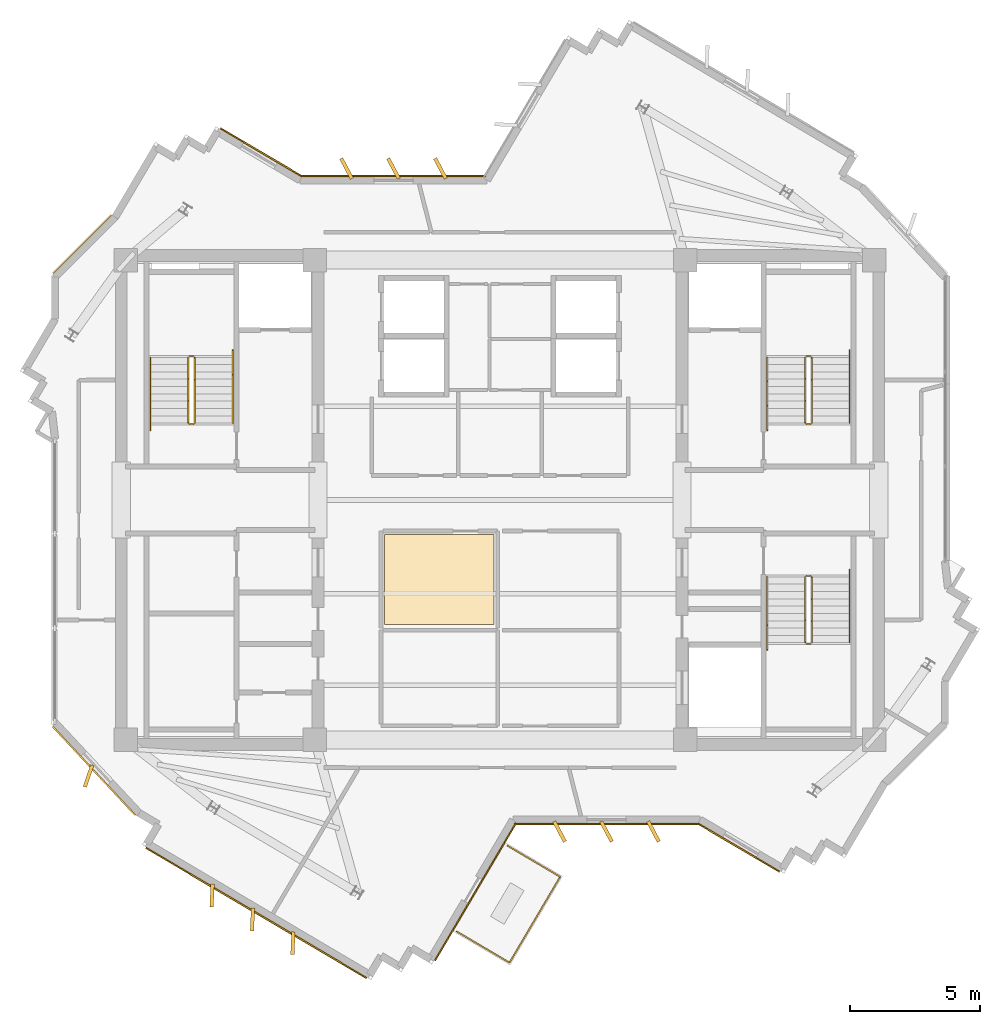
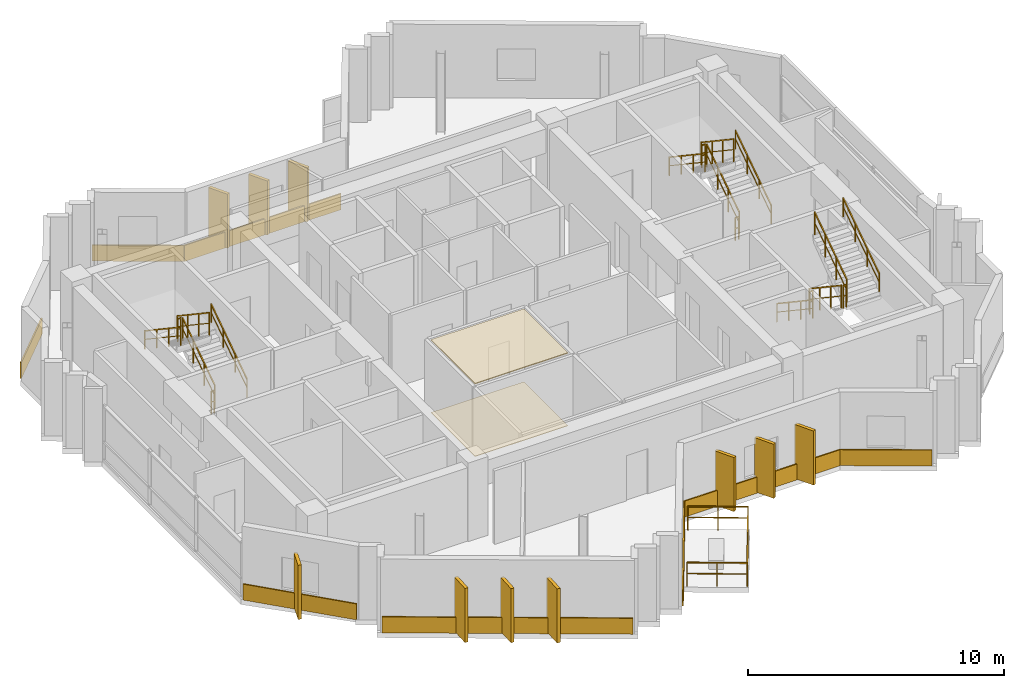
# One storey, part 9 of 10: 21 railings, 20 coverings.
"""IFC4 building model written with IfcOpenShell, lengths in metres."""

from ifc_helpers import new_model, si_unit, direction, frame, origin, origin_2d, place, context, subcontext, project, spatial, polyline, rectangle, outline, extrude, source, transform, mapped, material, layer, layer_set, type_object, element, save


model = new_model("IFC4")

# Units and contexts
model_context = context("Model", 3, precision=1e-05, world=origin(), true_north=direction((0.0, 1.0)))
body_context = subcontext(model_context, "Body", "Model", "MODEL_VIEW")
ifc_project = project(units=[si_unit("LENGTHUNIT", "METRE"), si_unit("AREAUNIT", "SQUARE_METRE"), si_unit("VOLUMEUNIT", "CUBIC_METRE"), si_unit("PLANEANGLEUNIT", "RADIAN"), si_unit("MASSUNIT", "GRAM", prefix="KILO")], contexts=[model_context])

# Site, building, storey
site_placement = place(None, origin())
site = spatial("IfcSite", under=ifc_project, at=site_placement, CompositionType="ELEMENT")
building_placement = place(site_placement, origin())
building = spatial("IfcBuilding", under=site, at=building_placement, Name="Zahravan Cultural Tower", CompositionType="ELEMENT")
storey_placement = place(building_placement, frame((0.0, 0.0, 342.300048828125)))
storey = spatial("IfcBuildingStorey", under=building, at=storey_placement, Name="L83", CompositionType="ELEMENT", Elevation=342.300048828125)

# Coverings
ifc_material_1 = material(Name="Acoustic mineral fibreboard")
ifc_layer_1 = layer(ifc_material_1, 0.0400390625)
ifc_layer_set_1 = layer_set([ifc_layer_1], Name="Acoustic mineral fibreboard")
covering_type_1 = type_object("IfcCoveringType", Name="COV-CEIL-AC20", PredefinedType="CEILING", material=ifc_layer_set_1)
covering_1_placement = place(storey_placement, frame((0.0, 0.0, 3.4599609375)))
element("IfcCovering", 1, at=covering_1_placement, inside=storey, type_object=covering_type_1, Name="L83 Acoustic Suspended Ceiling", PredefinedType="CEILING", context=body_context, shape_type="SweptSolid", body=[
    extrude(outline(polyline([(35.77001953125, 25.669921875), (31.580078125, 25.669921875), (31.580078125, 22.22998046875), (35.77001953125, 22.22998046875), (35.77001953125, 25.669921875)])), origin(), (0.0, 0.0, 1.0), 0.0400390625),
])
ifc_material_2 = material(Name="Terrazzo flooring")
ifc_layer_2 = layer(ifc_material_2, 0.02490234375)
ifc_layer_set_2 = layer_set([ifc_layer_2], Name="Terrazzo flooring")
covering_type_2 = type_object("IfcCoveringType", Name="COV-FLR-TZ25", PredefinedType="FLOORING", material=ifc_layer_set_2)
covering_2_placement = place(storey_placement, origin())
element("IfcCovering", 2, at=covering_2_placement, inside=storey, type_object=covering_type_2, Name="L83 Polished Terrazzo Flooring", PredefinedType="FLOORING", context=body_context, shape_type="SweptSolid", body=[
    extrude(outline(polyline([(35.77001953125, 25.669921875), (31.580078125, 25.669921875), (31.580078125, 22.22998046875), (35.77001953125, 22.22998046875), (35.77001953125, 25.669921875)])), origin(), (0.0, 0.0, 1.0), 0.02490234375),
])

# Railings
ifc_material_3 = material(Name="Steel ASTM A572 Grade 50", Category="steel")
railing_type_1 = type_object("IfcRailingType", Name="RL-BAL-1150", PredefinedType="BALUSTRADE", material=ifc_material_3)
railing_1_placement = place(storey_placement, frame((38.306396484375, 12.552001953125, 0.0)))
element("IfcRailing", 3, at=railing_1_placement, inside=storey, type_object=railing_type_1, Name="L83 Edge Balustrade GRD-TR-L83-SW-01", PredefinedType="BALUSTRADE", context=body_context, shape_type="SweptSolid", body=[
    extrude(rectangle(XDim=0.05, YDim=0.05, at=origin_2d()), frame((0.0, 0.0, 1.125), z_axis=(-0.508307203963, -0.861175816195, 0.0), x_axis=(0.861175816195, -0.508307203963, 0.0)), (0.0, 0.0, 1.0), 3.81982421875),
    extrude(rectangle(XDim=0.032, YDim=0.032, at=origin_2d()), frame((0.0, 0.0, 0.597900390625), z_axis=(-0.508307203963, -0.861175816195, 0.0), x_axis=(0.861175816195, -0.508307203963, 0.0)), (0.0, 0.0, 1.0), 3.81982421875),
    extrude(rectangle(XDim=0.04, YDim=0.04, at=origin_2d()), origin(), (0.0, 0.0, 1.0), 1.14990234375),
    extrude(rectangle(XDim=0.04, YDim=0.04, at=origin_2d()), frame((-0.4853515625, -0.822265625, 0.0)), (0.0, 0.0, 1.0), 1.14990234375),
    extrude(rectangle(XDim=0.04, YDim=0.04, at=origin_2d()), frame((-0.970703125, -1.644775390625, 0.0)), (0.0, 0.0, 1.0), 1.14990234375),
    extrude(rectangle(XDim=0.04, YDim=0.04, at=origin_2d()), frame((-1.456298828125, -2.46728515625, 0.0)), (0.0, 0.0, 1.0), 1.14990234375),
    extrude(rectangle(XDim=0.04, YDim=0.04, at=origin_2d()), frame((-1.941650390625, -3.28955078125, 0.0)), (0.0, 0.0, 1.0), 1.14990234375),
])
railing_2_placement = place(storey_placement, frame((36.36474609375, 9.262451171875, 0.0)))
element("IfcRailing", 4, at=railing_2_placement, inside=storey, type_object=railing_type_1, Name="L83 Edge Balustrade GRD-TR-L83-SW-02", PredefinedType="BALUSTRADE", context=body_context, shape_type="SweptSolid", body=[
    extrude(rectangle(XDim=0.05, YDim=0.05, at=origin_2d()), frame((0.0, 0.0, 1.125), z_axis=(-0.861228334744, 0.508218216353, 0.0), x_axis=(-0.508218216353, -0.861228334744, 0.0)), (0.0, 0.0, 1.0), 2.35009765625),
    extrude(rectangle(XDim=0.032, YDim=0.032, at=origin_2d()), frame((0.0, 0.0, 0.597900390625), z_axis=(-0.861228334744, 0.508218216353, 0.0), x_axis=(-0.508218216353, -0.861228334744, 0.0)), (0.0, 0.0, 1.0), 2.35009765625),
    extrude(rectangle(XDim=0.04, YDim=0.04, at=origin_2d()), origin(), (0.0, 0.0, 1.0), 1.14990234375),
    extrude(rectangle(XDim=0.04, YDim=0.04, at=origin_2d()), frame((-1.011962890625, 0.59716796875, 0.0)), (0.0, 0.0, 1.0), 1.14990234375),
    extrude(rectangle(XDim=0.04, YDim=0.04, at=origin_2d()), frame((-2.02392578125, 1.1943359375, 0.0)), (0.0, 0.0, 1.0), 1.14990234375),
])
railing_3_placement = place(storey_placement, frame((36.28271484375, 13.74658203125, 0.0)))
element("IfcRailing", 5, at=railing_3_placement, inside=storey, type_object=railing_type_1, Name="L83 Edge Balustrade GRD-TR-L83-SW-03", PredefinedType="BALUSTRADE", context=body_context, shape_type="SweptSolid", body=[
    extrude(rectangle(XDim=0.05, YDim=0.05, at=origin_2d()), frame((0.0, 0.0, 1.125), z_axis=(0.861156019915, -0.508340741397, 0.0), x_axis=(0.508340741397, 0.861156019915, 0.0)), (0.0, 0.0, 1.0), 2.349853515625),
    extrude(rectangle(XDim=0.032, YDim=0.032, at=origin_2d()), frame((0.0, 0.0, 0.597900390625), z_axis=(0.861156019915, -0.508340741397, 0.0), x_axis=(0.508340741397, 0.861156019915, 0.0)), (0.0, 0.0, 1.0), 2.349853515625),
    extrude(rectangle(XDim=0.04, YDim=0.04, at=origin_2d()), origin(), (0.0, 0.0, 1.0), 1.14990234375),
    extrude(rectangle(XDim=0.04, YDim=0.04, at=origin_2d()), frame((1.01171875, -0.59716796875, 0.0)), (0.0, 0.0, 1.0), 1.14990234375),
    extrude(rectangle(XDim=0.04, YDim=0.04, at=origin_2d()), frame((2.023681640625, -1.194580078125, 0.0)), (0.0, 0.0, 1.0), 1.14990234375),
])
railing_type_2 = type_object("IfcRailingType", Name="RL-STAIR-GRD1150", PredefinedType="BALUSTRADE", material=ifc_material_3)
railing_4_placement = place(storey_placement, frame((24.300048828125, 29.949951171875, 0.1875)))
element("IfcRailing", 6, at=railing_4_placement, inside=storey, type_object=railing_type_2, Name="L83 ST-W1 stair guard 1", PredefinedType="BALUSTRADE", context=body_context, shape_type="SweptSolid", body=[
    extrude(rectangle(XDim=0.05, YDim=0.05, at=origin_2d()), frame((0.0, 0.0, 1.0751953125), z_axis=(0.0, 0.830909170722, 0.55640807867), x_axis=(-1.0, 0.0, 0.0)), (0.0, 0.0, 1.0), 3.032958984375),
    extrude(rectangle(XDim=0.032, YDim=0.032, at=origin_2d()), frame((0.0, 0.0, 0.572021484375), z_axis=(0.0, 0.830909170722, 0.55640807867), x_axis=(-1.0, 0.0, 0.0)), (0.0, 0.0, 1.0), 3.032958984375),
    extrude(rectangle(XDim=0.04, YDim=0.04, at=origin_2d()), origin(), (0.0, 0.0, 1.0), 1.10009765625),
    extrude(rectangle(XDim=0.04, YDim=0.04, at=origin_2d()), frame((0.0, 0.840087890625, 0.5625)), (0.0, 0.0, 1.0), 1.10009765625),
    extrude(rectangle(XDim=0.04, YDim=0.04, at=origin_2d()), frame((0.0, 1.679931640625, 1.125)), (0.0, 0.0, 1.0), 1.10009765625),
    extrude(rectangle(XDim=0.04, YDim=0.04, at=origin_2d()), frame((0.0, 2.52001953125, 1.6875)), (0.0, 0.0, 1.0), 1.10009765625),
])
railing_5_placement = place(storey_placement, frame((24.25, 32.52001953125, 1.875)))
element("IfcRailing", 7, at=railing_5_placement, inside=storey, type_object=railing_type_2, Name="L83 ST-W1 stair guard 2", PredefinedType="BALUSTRADE", context=body_context, shape_type="SweptSolid", body=[
    extrude(rectangle(XDim=0.05, YDim=0.05, at=origin_2d()), frame((0.0, 0.0, 1.0751953125), z_axis=(-1.0, 0.0, 0.0), x_axis=(0.0, -1.0, 0.0)), (0.0, 0.0, 1.0), 0.14990234375),
    extrude(rectangle(XDim=0.032, YDim=0.032, at=origin_2d()), frame((0.0, 0.0, 0.572021484375), z_axis=(-1.0, 0.0, 0.0), x_axis=(0.0, -1.0, 0.0)), (0.0, 0.0, 1.0), 0.14990234375),
    extrude(rectangle(XDim=0.04, YDim=0.04, at=origin_2d()), origin(), (0.0, 0.0, 1.0), 1.10009765625),
    extrude(rectangle(XDim=0.04, YDim=0.04, at=origin_2d()), frame((-0.14990234375, 0.0, 0.0)), (0.0, 0.0, 1.0), 1.10009765625),
])
railing_6_placement = place(storey_placement, frame((24.050048828125, 32.469970703125, 2.0625)))
element("IfcRailing", 8, at=railing_6_placement, inside=storey, type_object=railing_type_2, Name="L83 ST-W1 stair guard 3", PredefinedType="BALUSTRADE", context=body_context, shape_type="SweptSolid", body=[
    extrude(rectangle(XDim=0.05, YDim=0.05, at=origin_2d()), frame((0.0, 0.0, 1.0751953125), z_axis=(0.0, -0.830909170722, 0.55640807867), x_axis=(1.0, 0.0, 0.0)), (0.0, 0.0, 1.0), 3.032958984375),
    extrude(rectangle(XDim=0.032, YDim=0.032, at=origin_2d()), frame((0.0, 0.0, 0.572021484375), z_axis=(0.0, -0.830909170722, 0.55640807867), x_axis=(1.0, 0.0, 0.0)), (0.0, 0.0, 1.0), 3.032958984375),
    extrude(rectangle(XDim=0.04, YDim=0.04, at=origin_2d()), origin(), (0.0, 0.0, 1.0), 1.10009765625),
    extrude(rectangle(XDim=0.04, YDim=0.04, at=origin_2d()), frame((0.0, -0.840087890625, 0.5625)), (0.0, 0.0, 1.0), 1.10009765625),
    extrude(rectangle(XDim=0.04, YDim=0.04, at=origin_2d()), frame((0.0, -1.679931640625, 1.125)), (0.0, 0.0, 1.0), 1.10009765625),
    extrude(rectangle(XDim=0.04, YDim=0.04, at=origin_2d()), frame((0.0, -2.52001953125, 1.6875)), (0.0, 0.0, 1.0), 1.10009765625),
])
railing_7_placement = place(storey_placement, frame((24.25, 29.89990234375, 0.0)))
element("IfcRailing", 9, at=railing_7_placement, inside=storey, type_object=railing_type_2, Name="L83 ST-W1 stair guard 4", PredefinedType="BALUSTRADE", context=body_context, shape_type="SweptSolid", body=[
    extrude(rectangle(XDim=0.05, YDim=0.05, at=origin_2d()), frame((0.0, 0.0, 1.0751953125), z_axis=(-1.0, 0.0, 0.0), x_axis=(0.0, -1.0, 0.0)), (0.0, 0.0, 1.0), 0.14990234375),
    extrude(rectangle(XDim=0.032, YDim=0.032, at=origin_2d()), frame((0.0, 0.0, 0.572021484375), z_axis=(-1.0, 0.0, 0.0), x_axis=(0.0, -1.0, 0.0)), (0.0, 0.0, 1.0), 0.14990234375),
    extrude(rectangle(XDim=0.04, YDim=0.04, at=origin_2d()), origin(), (0.0, 0.0, 1.0), 1.10009765625),
    extrude(rectangle(XDim=0.04, YDim=0.04, at=origin_2d()), frame((-0.14990234375, 0.0, 0.0)), (0.0, 0.0, 1.0), 1.10009765625),
])
railing_8_placement = place(storey_placement, frame((47.949951171875, 29.949951171875, 0.1875)))
element("IfcRailing", 10, at=railing_8_placement, inside=storey, type_object=railing_type_2, Name="L83 ST-E1 stair guard 1", PredefinedType="BALUSTRADE", context=body_context, shape_type="SweptSolid", body=[
    extrude(rectangle(XDim=0.05, YDim=0.05, at=origin_2d()), frame((0.0, 0.0, 1.0751953125), z_axis=(0.0, 0.830909170722, 0.55640807867), x_axis=(-1.0, 0.0, 0.0)), (0.0, 0.0, 1.0), 3.032958984375),
    extrude(rectangle(XDim=0.032, YDim=0.032, at=origin_2d()), frame((0.0, 0.0, 0.572021484375), z_axis=(0.0, 0.830909170722, 0.55640807867), x_axis=(-1.0, 0.0, 0.0)), (0.0, 0.0, 1.0), 3.032958984375),
    extrude(rectangle(XDim=0.04, YDim=0.04, at=origin_2d()), origin(), (0.0, 0.0, 1.0), 1.10009765625),
    extrude(rectangle(XDim=0.04, YDim=0.04, at=origin_2d()), frame((0.0, 0.840087890625, 0.5625)), (0.0, 0.0, 1.0), 1.10009765625),
    extrude(rectangle(XDim=0.04, YDim=0.04, at=origin_2d()), frame((0.0, 1.679931640625, 1.125)), (0.0, 0.0, 1.0), 1.10009765625),
    extrude(rectangle(XDim=0.04, YDim=0.04, at=origin_2d()), frame((0.0, 2.52001953125, 1.6875)), (0.0, 0.0, 1.0), 1.10009765625),
])
railing_9_placement = place(storey_placement, frame((47.89990234375, 32.52001953125, 1.875)))
element("IfcRailing", 11, at=railing_9_placement, inside=storey, type_object=railing_type_2, Name="L83 ST-E1 stair guard 2", PredefinedType="BALUSTRADE", context=body_context, shape_type="SweptSolid", body=[
    extrude(rectangle(XDim=0.05, YDim=0.05, at=origin_2d()), frame((0.0, 0.0, 1.0751953125), z_axis=(-1.0, 0.0, 0.0), x_axis=(0.0, -1.0, 0.0)), (0.0, 0.0, 1.0), 0.14990234375),
    extrude(rectangle(XDim=0.032, YDim=0.032, at=origin_2d()), frame((0.0, 0.0, 0.572021484375), z_axis=(-1.0, 0.0, 0.0), x_axis=(0.0, -1.0, 0.0)), (0.0, 0.0, 1.0), 0.14990234375),
    extrude(rectangle(XDim=0.04, YDim=0.04, at=origin_2d()), origin(), (0.0, 0.0, 1.0), 1.10009765625),
    extrude(rectangle(XDim=0.04, YDim=0.04, at=origin_2d()), frame((-0.14990234375, 0.0, 0.0)), (0.0, 0.0, 1.0), 1.10009765625),
])
railing_10_placement = place(storey_placement, frame((47.699951171875, 32.469970703125, 2.0625)))
element("IfcRailing", 12, at=railing_10_placement, inside=storey, type_object=railing_type_2, Name="L83 ST-E1 stair guard 3", PredefinedType="BALUSTRADE", context=body_context, shape_type="SweptSolid", body=[
    extrude(rectangle(XDim=0.05, YDim=0.05, at=origin_2d()), frame((0.0, 0.0, 1.0751953125), z_axis=(0.0, -0.830909170722, 0.55640807867), x_axis=(1.0, 0.0, 0.0)), (0.0, 0.0, 1.0), 3.032958984375),
    extrude(rectangle(XDim=0.032, YDim=0.032, at=origin_2d()), frame((0.0, 0.0, 0.572021484375), z_axis=(0.0, -0.830909170722, 0.55640807867), x_axis=(1.0, 0.0, 0.0)), (0.0, 0.0, 1.0), 3.032958984375),
    extrude(rectangle(XDim=0.04, YDim=0.04, at=origin_2d()), origin(), (0.0, 0.0, 1.0), 1.10009765625),
    extrude(rectangle(XDim=0.04, YDim=0.04, at=origin_2d()), frame((0.0, -0.840087890625, 0.5625)), (0.0, 0.0, 1.0), 1.10009765625),
    extrude(rectangle(XDim=0.04, YDim=0.04, at=origin_2d()), frame((0.0, -1.679931640625, 1.125)), (0.0, 0.0, 1.0), 1.10009765625),
    extrude(rectangle(XDim=0.04, YDim=0.04, at=origin_2d()), frame((0.0, -2.52001953125, 1.6875)), (0.0, 0.0, 1.0), 1.10009765625),
])
railing_11_placement = place(storey_placement, frame((47.89990234375, 29.89990234375, 0.0)))
element("IfcRailing", 13, at=railing_11_placement, inside=storey, type_object=railing_type_2, Name="L83 ST-E1 stair guard 4", PredefinedType="BALUSTRADE", context=body_context, shape_type="SweptSolid", body=[
    extrude(rectangle(XDim=0.05, YDim=0.05, at=origin_2d()), frame((0.0, 0.0, 1.0751953125), z_axis=(-1.0, 0.0, 0.0), x_axis=(0.0, -1.0, 0.0)), (0.0, 0.0, 1.0), 0.14990234375),
    extrude(rectangle(XDim=0.032, YDim=0.032, at=origin_2d()), frame((0.0, 0.0, 0.572021484375), z_axis=(-1.0, 0.0, 0.0), x_axis=(0.0, -1.0, 0.0)), (0.0, 0.0, 1.0), 0.14990234375),
    extrude(rectangle(XDim=0.04, YDim=0.04, at=origin_2d()), origin(), (0.0, 0.0, 1.0), 1.10009765625),
    extrude(rectangle(XDim=0.04, YDim=0.04, at=origin_2d()), frame((-0.14990234375, 0.0, 0.0)), (0.0, 0.0, 1.0), 1.10009765625),
])
railing_12_placement = place(storey_placement, frame((47.699951171875, 24.050048828125, 0.1875)))
element("IfcRailing", 14, at=railing_12_placement, inside=storey, type_object=railing_type_2, Name="L83 ST-E2 stair guard 1", PredefinedType="BALUSTRADE", context=body_context, shape_type="SweptSolid", body=[
    extrude(rectangle(XDim=0.05, YDim=0.05, at=origin_2d()), frame((0.0, 0.0, 1.0751953125), z_axis=(0.0, -0.830909170722, 0.55640807867), x_axis=(1.0, 0.0, 0.0)), (0.0, 0.0, 1.0), 3.032958984375),
    extrude(rectangle(XDim=0.032, YDim=0.032, at=origin_2d()), frame((0.0, 0.0, 0.572021484375), z_axis=(0.0, -0.830909170722, 0.55640807867), x_axis=(1.0, 0.0, 0.0)), (0.0, 0.0, 1.0), 3.032958984375),
    extrude(rectangle(XDim=0.04, YDim=0.04, at=origin_2d()), origin(), (0.0, 0.0, 1.0), 1.10009765625),
    extrude(rectangle(XDim=0.04, YDim=0.04, at=origin_2d()), frame((0.0, -0.840087890625, 0.5625)), (0.0, 0.0, 1.0), 1.10009765625),
    extrude(rectangle(XDim=0.04, YDim=0.04, at=origin_2d()), frame((0.0, -1.679931640625, 1.125)), (0.0, 0.0, 1.0), 1.10009765625),
    extrude(rectangle(XDim=0.04, YDim=0.04, at=origin_2d()), frame((0.0, -2.52001953125, 1.6875)), (0.0, 0.0, 1.0), 1.10009765625),
])
railing_13_placement = place(storey_placement, frame((47.75, 21.47998046875, 1.875)))
element("IfcRailing", 15, at=railing_13_placement, inside=storey, type_object=railing_type_2, Name="L83 ST-E2 stair guard 2", PredefinedType="BALUSTRADE", context=body_context, shape_type="SweptSolid", body=[
    extrude(rectangle(XDim=0.05, YDim=0.05, at=origin_2d()), frame((0.0, 0.0, 1.0751953125), z_axis=(1.0, 0.0, 0.0), x_axis=(0.0, 1.0, 0.0)), (0.0, 0.0, 1.0), 0.14990234375),
    extrude(rectangle(XDim=0.032, YDim=0.032, at=origin_2d()), frame((0.0, 0.0, 0.572021484375), z_axis=(1.0, 0.0, 0.0), x_axis=(0.0, 1.0, 0.0)), (0.0, 0.0, 1.0), 0.14990234375),
    extrude(rectangle(XDim=0.04, YDim=0.04, at=origin_2d()), origin(), (0.0, 0.0, 1.0), 1.10009765625),
    extrude(rectangle(XDim=0.04, YDim=0.04, at=origin_2d()), frame((0.14990234375, 0.0, 0.0)), (0.0, 0.0, 1.0), 1.10009765625),
])
railing_14_placement = place(storey_placement, frame((47.949951171875, 21.530029296875, 2.0625)))
element("IfcRailing", 16, at=railing_14_placement, inside=storey, type_object=railing_type_2, Name="L83 ST-E2 stair guard 3", PredefinedType="BALUSTRADE", context=body_context, shape_type="SweptSolid", body=[
    extrude(rectangle(XDim=0.05, YDim=0.05, at=origin_2d()), frame((0.0, 0.0, 1.0751953125), z_axis=(0.0, 0.830909170722, 0.55640807867), x_axis=(-1.0, 0.0, 0.0)), (0.0, 0.0, 1.0), 3.032958984375),
    extrude(rectangle(XDim=0.032, YDim=0.032, at=origin_2d()), frame((0.0, 0.0, 0.572021484375), z_axis=(0.0, 0.830909170722, 0.55640807867), x_axis=(-1.0, 0.0, 0.0)), (0.0, 0.0, 1.0), 3.032958984375),
    extrude(rectangle(XDim=0.04, YDim=0.04, at=origin_2d()), origin(), (0.0, 0.0, 1.0), 1.10009765625),
    extrude(rectangle(XDim=0.04, YDim=0.04, at=origin_2d()), frame((0.0, 0.840087890625, 0.5625)), (0.0, 0.0, 1.0), 1.10009765625),
    extrude(rectangle(XDim=0.04, YDim=0.04, at=origin_2d()), frame((0.0, 1.679931640625, 1.125)), (0.0, 0.0, 1.0), 1.10009765625),
    extrude(rectangle(XDim=0.04, YDim=0.04, at=origin_2d()), frame((0.0, 2.52001953125, 1.6875)), (0.0, 0.0, 1.0), 1.10009765625),
])
railing_15_placement = place(storey_placement, frame((47.75, 24.10009765625, 0.0)))
element("IfcRailing", 17, at=railing_15_placement, inside=storey, type_object=railing_type_2, Name="L83 ST-E2 stair guard 4", PredefinedType="BALUSTRADE", context=body_context, shape_type="SweptSolid", body=[
    extrude(rectangle(XDim=0.05, YDim=0.05, at=origin_2d()), frame((0.0, 0.0, 1.0751953125), z_axis=(1.0, 0.0, 0.0), x_axis=(0.0, 1.0, 0.0)), (0.0, 0.0, 1.0), 0.14990234375),
    extrude(rectangle(XDim=0.032, YDim=0.032, at=origin_2d()), frame((0.0, 0.0, 0.572021484375), z_axis=(1.0, 0.0, 0.0), x_axis=(0.0, 1.0, 0.0)), (0.0, 0.0, 1.0), 0.14990234375),
    extrude(rectangle(XDim=0.04, YDim=0.04, at=origin_2d()), origin(), (0.0, 0.0, 1.0), 1.10009765625),
    extrude(rectangle(XDim=0.04, YDim=0.04, at=origin_2d()), frame((0.14990234375, 0.0, 0.0)), (0.0, 0.0, 1.0), 1.10009765625),
])
railing_type_3 = type_object("IfcRailingType", Name="RL-STAIR-HR900", PredefinedType="HANDRAIL", material=ifc_material_3)
railing_16_placement = place(storey_placement, frame((25.75, 29.949951171875, 0.1875)))
element("IfcRailing", 18, at=railing_16_placement, inside=storey, type_object=railing_type_3, Name="L83 ST-W1 stair handrail 1", PredefinedType="HANDRAIL", context=body_context, shape_type="SweptSolid", body=[
    extrude(rectangle(XDim=0.05, YDim=0.05, at=origin_2d()), frame((0.0, 0.0, 0.875), z_axis=(0.0, 0.830911662861, 0.55640435703), x_axis=(-1.0, 0.0, 0.0)), (0.0, 0.0, 1.0), 3.369873046875),
    extrude(rectangle(XDim=0.032, YDim=0.032, at=origin_2d()), frame((0.0, 0.0, 0.468017578125), z_axis=(0.0, 0.830911662861, 0.55640435703), x_axis=(-1.0, 0.0, 0.0)), (0.0, 0.0, 1.0), 3.369873046875),
    extrude(rectangle(XDim=0.04, YDim=0.04, at=origin_2d()), origin(), (0.0, 0.0, 1.0), 0.89990234375),
    extrude(rectangle(XDim=0.04, YDim=0.04, at=origin_2d()), frame((0.0, 0.933349609375, 0.625)), (0.0, 0.0, 1.0), 0.89990234375),
    extrude(rectangle(XDim=0.04, YDim=0.04, at=origin_2d()), frame((0.0, 1.86669921875, 1.25)), (0.0, 0.0, 1.0), 0.89990234375),
    extrude(rectangle(XDim=0.04, YDim=0.04, at=origin_2d()), frame((0.0, 2.800048828125, 1.875)), (0.0, 0.0, 1.0), 0.89990234375),
])
railing_17_placement = place(storey_placement, frame((22.60009765625, 32.469970703125, 2.0625)))
element("IfcRailing", 19, at=railing_17_placement, inside=storey, type_object=railing_type_3, Name="L83 ST-W1 stair handrail 2", PredefinedType="HANDRAIL", context=body_context, shape_type="SweptSolid", body=[
    extrude(rectangle(XDim=0.05, YDim=0.05, at=origin_2d()), frame((0.0, 0.0, 0.875), z_axis=(0.0, -0.830911662861, 0.55640435703), x_axis=(1.0, 0.0, 0.0)), (0.0, 0.0, 1.0), 3.369873046875),
    extrude(rectangle(XDim=0.032, YDim=0.032, at=origin_2d()), frame((0.0, 0.0, 0.468017578125), z_axis=(0.0, -0.830911662861, 0.55640435703), x_axis=(1.0, 0.0, 0.0)), (0.0, 0.0, 1.0), 3.369873046875),
    extrude(rectangle(XDim=0.04, YDim=0.04, at=origin_2d()), origin(), (0.0, 0.0, 1.0), 0.89990234375),
    extrude(rectangle(XDim=0.04, YDim=0.04, at=origin_2d()), frame((0.0, -0.933349609375, 0.625)), (0.0, 0.0, 1.0), 0.89990234375),
    extrude(rectangle(XDim=0.04, YDim=0.04, at=origin_2d()), frame((0.0, -1.86669921875, 1.25)), (0.0, 0.0, 1.0), 0.89990234375),
    extrude(rectangle(XDim=0.04, YDim=0.04, at=origin_2d()), frame((0.0, -2.800048828125, 1.875)), (0.0, 0.0, 1.0), 0.89990234375),
])
railing_18_placement = place(storey_placement, frame((49.39990234375, 29.949951171875, 0.1875)))
element("IfcRailing", 20, at=railing_18_placement, inside=storey, type_object=railing_type_3, Name="L83 ST-E1 stair handrail 1", PredefinedType="HANDRAIL", context=body_context, shape_type="SweptSolid", body=[
    extrude(rectangle(XDim=0.05, YDim=0.05, at=origin_2d()), frame((0.0, 0.0, 0.875), z_axis=(0.0, 0.830911662861, 0.55640435703), x_axis=(-1.0, 0.0, 0.0)), (0.0, 0.0, 1.0), 3.369873046875),
    extrude(rectangle(XDim=0.032, YDim=0.032, at=origin_2d()), frame((0.0, 0.0, 0.468017578125), z_axis=(0.0, 0.830911662861, 0.55640435703), x_axis=(-1.0, 0.0, 0.0)), (0.0, 0.0, 1.0), 3.369873046875),
    extrude(rectangle(XDim=0.04, YDim=0.04, at=origin_2d()), origin(), (0.0, 0.0, 1.0), 0.89990234375),
    extrude(rectangle(XDim=0.04, YDim=0.04, at=origin_2d()), frame((0.0, 0.933349609375, 0.625)), (0.0, 0.0, 1.0), 0.89990234375),
    extrude(rectangle(XDim=0.04, YDim=0.04, at=origin_2d()), frame((0.0, 1.86669921875, 1.25)), (0.0, 0.0, 1.0), 0.89990234375),
    extrude(rectangle(XDim=0.04, YDim=0.04, at=origin_2d()), frame((0.0, 2.800048828125, 1.875)), (0.0, 0.0, 1.0), 0.89990234375),
])
for number, where, name in (
    (21, (46.25, 32.469970703125, 2.0625), "L83 ST-E1 stair handrail 2"),
    (22, (46.25, 24.050048828125, 0.1875), "L83 ST-E2 stair handrail 1"),
):
    element("IfcRailing", number, at=place(storey_placement, frame(where)), inside=storey, type_object=railing_type_3, Name=name, PredefinedType="HANDRAIL", context=body_context, shape_type="SweptSolid", body=[
        extrude(rectangle(XDim=0.05, YDim=0.05, at=origin_2d()), frame((0.0, 0.0, 0.875), z_axis=(0.0, -0.830911662861, 0.55640435703), x_axis=(1.0, 0.0, 0.0)), (0.0, 0.0, 1.0), 3.369873046875),
        extrude(rectangle(XDim=0.032, YDim=0.032, at=origin_2d()), frame((0.0, 0.0, 0.468017578125), z_axis=(0.0, -0.830911662861, 0.55640435703), x_axis=(1.0, 0.0, 0.0)), (0.0, 0.0, 1.0), 3.369873046875),
        extrude(rectangle(XDim=0.04, YDim=0.04, at=origin_2d()), origin(), (0.0, 0.0, 1.0), 0.89990234375),
        extrude(rectangle(XDim=0.04, YDim=0.04, at=origin_2d()), frame((0.0, -0.933349609375, 0.625)), (0.0, 0.0, 1.0), 0.89990234375),
        extrude(rectangle(XDim=0.04, YDim=0.04, at=origin_2d()), frame((0.0, -1.86669921875, 1.25)), (0.0, 0.0, 1.0), 0.89990234375),
        extrude(rectangle(XDim=0.04, YDim=0.04, at=origin_2d()), frame((0.0, -2.800048828125, 1.875)), (0.0, 0.0, 1.0), 0.89990234375),
    ])
railing_19_placement = place(storey_placement, frame((49.39990234375, 21.530029296875, 2.0625)))
element("IfcRailing", 23, at=railing_19_placement, inside=storey, type_object=railing_type_3, Name="L83 ST-E2 stair handrail 2", PredefinedType="HANDRAIL", context=body_context, shape_type="SweptSolid", body=[
    extrude(rectangle(XDim=0.05, YDim=0.05, at=origin_2d()), frame((0.0, 0.0, 0.875), z_axis=(0.0, 0.830911662861, 0.55640435703), x_axis=(-1.0, 0.0, 0.0)), (0.0, 0.0, 1.0), 3.369873046875),
    extrude(rectangle(XDim=0.032, YDim=0.032, at=origin_2d()), frame((0.0, 0.0, 0.468017578125), z_axis=(0.0, 0.830911662861, 0.55640435703), x_axis=(-1.0, 0.0, 0.0)), (0.0, 0.0, 1.0), 3.369873046875),
    extrude(rectangle(XDim=0.04, YDim=0.04, at=origin_2d()), origin(), (0.0, 0.0, 1.0), 0.89990234375),
    extrude(rectangle(XDim=0.04, YDim=0.04, at=origin_2d()), frame((0.0, 0.933349609375, 0.625)), (0.0, 0.0, 1.0), 0.89990234375),
    extrude(rectangle(XDim=0.04, YDim=0.04, at=origin_2d()), frame((0.0, 1.86669921875, 1.25)), (0.0, 0.0, 1.0), 0.89990234375),
    extrude(rectangle(XDim=0.04, YDim=0.04, at=origin_2d()), frame((0.0, 2.800048828125, 1.875)), (0.0, 0.0, 1.0), 0.89990234375),
])

# Coverings
ifc_material_4 = material(Name="Terracotta ceramic cladding", Category="masonry")
ifc_layer_3 = layer(ifc_material_4, 0.06005859375)
ifc_layer_set_3 = layer_set([ifc_layer_3], Name="Terracotta ceramic cladding")
covering_type_3 = type_object("IfcCoveringType", Name="COV-CLAD-TC60", PredefinedType="CLADDING", material=ifc_layer_set_3)
shared_shape_1 = source(origin(), body_context, "Body", "SweptSolid", [
    extrude(rectangle(XDim=9.820068359375, YDim=0.06005859375, at=origin_2d()), origin(), (0.0, 0.0, 1.0), 0.760009765625),
])
covering_3_placement = place(storey_placement, frame((26.655029296875, 11.1669921875, 0.02001953125), z_axis=(0.0, 0.0, 1.0), x_axis=(-0.861185921638, 0.508290082898, 0.0)))
element("IfcCovering", 24, at=covering_3_placement, inside=storey, type_object=covering_type_3, Name="L83 Terracotta Spandrel Cladding 29", PredefinedType="CLADDING", context=body_context, shape_type="MappedRepresentation", body=[
    mapped(shared_shape_1, transform((0.0, 0.0, 0.0), x_axis=(1.0, 0.0, 0.0), y_axis=(0.0, 1.0, 0.0), z_axis=(0.0, 0.0, 1.0), scale=1.0)),
])
shared_shape_2 = source(origin(), body_context, "Body", "SweptSolid", [
    extrude(rectangle(XDim=0.8798828125, YDim=0.139892578125, at=origin_2d()), origin(), (0.0, 0.0, 1.0), 2.580078125),
])
for number, where, z_axis, x_axis, name in (
    (25, (41.88330078125, 14.2900390625, 0.0498046875), (0.0, 0.0, 1.0), (0.469471562786, -0.882947592859, 0.0), "L83 Herringbone Terracotta Fin 07"),
    (26, (40.083251953125, 14.2900390625, 0.0498046875), (0.0, 0.0, 1.0), (0.469471562786, -0.882947592859, 0.0), "L83 Herringbone Terracotta Fin 08"),
    (27, (38.283203125, 14.2900390625, 0.0498046875), (0.0, 0.0, 1.0), (0.469471562786, -0.882947592859, 0.0), "L83 Herringbone Terracotta Fin 09"),
    (28, (28.060302734375, 10.006591796875, 0.0498046875), (0.0, 0.0, 1.0), (-0.044491204688, -0.999009776081, 0.0), "L83 Herringbone Terracotta Fin 10"),
    (29, (26.51025390625, 10.921630859375, 0.0498046875), (0.0, 0.0, 1.0), (-0.044491204688, -0.999009776081, 0.0), "L83 Herringbone Terracotta Fin 11"),
    (30, (24.9599609375, 11.83642578125, 0.0498046875), (0.0, 0.0, 1.0), (-0.044491204688, -0.999009776081, 0.0), "L83 Herringbone Terracotta Fin 12"),
    (31, (20.224609375, 16.41943359375, 0.0498046875), (0.0, 0.0, 1.0), (-0.32591468324, -0.945399185132, 0.0), "L83 Herringbone Terracotta Fin 13"),
    (32, (30.11669921875, 39.7099609375, 0.0498046875), (0.0, 0.0, 1.0), (-0.469471562786, 0.882947592859, 0.0), "L83 Herringbone Terracotta Fin 14"),
    (33, (31.916748046875, 39.7099609375, 0.0498046875), (0.0, 0.0, 1.0), (-0.469471562786, 0.882947592859, 0.0), "L83 Herringbone Terracotta Fin 15"),
    (34, (33.716796875, 39.7099609375, 0.0498046875), (0.0, 0.0, 1.0), (-0.469471562786, 0.882947592859, 0.0), "L83 Herringbone Terracotta Fin 16"),
):
    element("IfcCovering", number, at=place(storey_placement, frame(where, z_axis=z_axis, x_axis=x_axis)), inside=storey, type_object=covering_type_3, Name=name, PredefinedType="CLADDING", context=body_context, shape_type="MappedRepresentation", body=[
        mapped(shared_shape_2, transform((0.0, 0.0, 0.0), x_axis=(1.0, 0.0, 0.0), y_axis=(0.0, 1.0, 0.0), z_axis=(0.0, 0.0, 1.0), scale=1.0)),
    ])
shared_shape_3 = source(origin(), body_context, "Body", "SweptSolid", [
    extrude(rectangle(XDim=6.11474609375, YDim=0.06005859375, at=origin_2d()), origin(), (0.0, 0.0, 1.0), 0.760009765625),
])
covering_4_placement = place(storey_placement, frame((35.06005859375, 11.97998046875, 0.02001953125), z_axis=(0.0, 0.0, 1.0), x_axis=(-0.508275052291, -0.861194792842, 0.0)))
element("IfcCovering", 35, at=covering_4_placement, inside=storey, type_object=covering_type_3, Name="L83 Terracotta Spandrel Cladding 24", PredefinedType="CLADDING", context=body_context, shape_type="MappedRepresentation", body=[
    mapped(shared_shape_3, transform((0.0, 0.0, 0.0), x_axis=(1.0, 0.0, 0.0), y_axis=(0.0, 1.0, 0.0), z_axis=(0.0, 0.0, 1.0), scale=1.0)),
])
shared_shape_4 = source(origin(), body_context, "Body", "SweptSolid", [
    extrude(rectangle(XDim=4.63427734375, YDim=0.06005859375, at=origin_2d()), origin(), (0.0, 0.0, 1.0), 0.760009765625),
])
covering_5_placement = place(storey_placement, frame((20.43310546875, 16.61376953125, 0.02001953125), z_axis=(0.0, 0.0, 1.0), x_axis=(-0.681730259128, 0.731603617944, 0.0)))
element("IfcCovering", 36, at=covering_5_placement, inside=storey, type_object=covering_type_3, Name="L83 Terracotta Spandrel Cladding 32", PredefinedType="CLADDING", context=body_context, shape_type="MappedRepresentation", body=[
    mapped(shared_shape_4, transform((0.0, 0.0, 0.0), x_axis=(1.0, 0.0, 0.0), y_axis=(0.0, 1.0, 0.0), z_axis=(0.0, 0.0, 1.0), scale=1.0)),
])
shared_shape_5 = source(origin(), body_context, "Body", "SweptSolid", [
    extrude(rectangle(XDim=3.160400390625, YDim=0.06005859375, at=origin_2d()), origin(), (0.0, 0.0, 1.0), 0.760009765625),
])
covering_6_placement = place(storey_placement, frame((19.97607421875, 36.8115234375, 0.02001953125), z_axis=(0.0, 0.0, 1.0), x_axis=(0.707094439737, 0.70711912242, 0.0)))
element("IfcCovering", 37, at=covering_6_placement, inside=storey, type_object=covering_type_3, Name="L83 Terracotta Spandrel Cladding 39", PredefinedType="CLADDING", context=body_context, shape_type="MappedRepresentation", body=[
    mapped(shared_shape_5, transform((0.0, 0.0, 0.0), x_axis=(1.0, 0.0, 0.0), y_axis=(0.0, 1.0, 0.0), z_axis=(0.0, 0.0, 1.0), scale=1.0)),
])
shared_shape_6 = source(origin(), body_context, "Body", "SweptSolid", [
    extrude(rectangle(XDim=3.583984375, YDim=0.06005859375, at=origin_2d()), origin(), (0.0, 0.0, 1.0), 0.760009765625),
])
for number, where, z_axis, x_axis, name in (
    (38, (45.17138671875, 13.66162109375, 0.02001953125), (0.0, 0.0, 1.0), (-0.861185921638, 0.508290082898, 0.0), "L83 Terracotta Spandrel Cladding 22"),
    (39, (26.82861328125, 40.33837890625, 0.02001953125), (0.0, 0.0, 1.0), (0.861185921638, -0.508290082898, 0.0), "L83 Terracotta Spandrel Cladding 45"),
):
    element("IfcCovering", number, at=place(storey_placement, frame(where, z_axis=z_axis, x_axis=x_axis)), inside=storey, type_object=covering_type_3, Name=name, PredefinedType="CLADDING", context=body_context, shape_type="MappedRepresentation", body=[
        mapped(shared_shape_6, transform((0.0, 0.0, 0.0), x_axis=(1.0, 0.0, 0.0), y_axis=(0.0, 1.0, 0.0), z_axis=(0.0, 0.0, 1.0), scale=1.0)),
    ])
shared_shape_7 = source(origin(), body_context, "Body", "SweptSolid", [
    extrude(rectangle(XDim=7.07177734375, YDim=0.06005859375, at=origin_2d()), origin(), (0.0, 0.0, 1.0), 0.760009765625),
])
for number, where, z_axis, x_axis, name in (
    (40, (40.083251953125, 14.574951171875, 0.02001953125), (0.0, 0.0, 1.0), (-1.0, 0.0, 0.0), "L83 Terracotta Spandrel Cladding 23"),
    (41, (31.916748046875, 39.425048828125, 0.02001953125), (0.0, 0.0, 1.0), (1.0, 0.0, 0.0), "L83 Terracotta Spandrel Cladding 46"),
):
    element("IfcCovering", number, at=place(storey_placement, frame(where, z_axis=z_axis, x_axis=x_axis)), inside=storey, type_object=covering_type_3, Name=name, PredefinedType="CLADDING", context=body_context, shape_type="MappedRepresentation", body=[
        mapped(shared_shape_7, transform((0.0, 0.0, 0.0), x_axis=(1.0, 0.0, 0.0), y_axis=(0.0, 1.0, 0.0), z_axis=(0.0, 0.0, 1.0), scale=1.0)),
    ])

save(model, "model.ifc")
